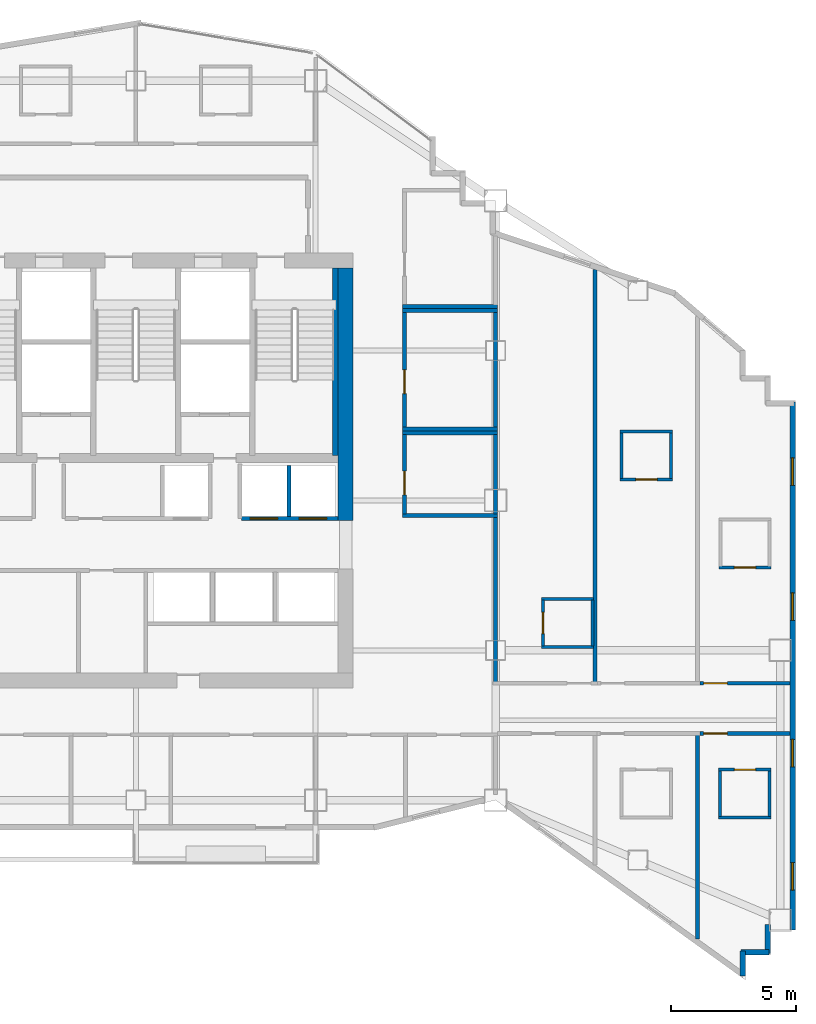
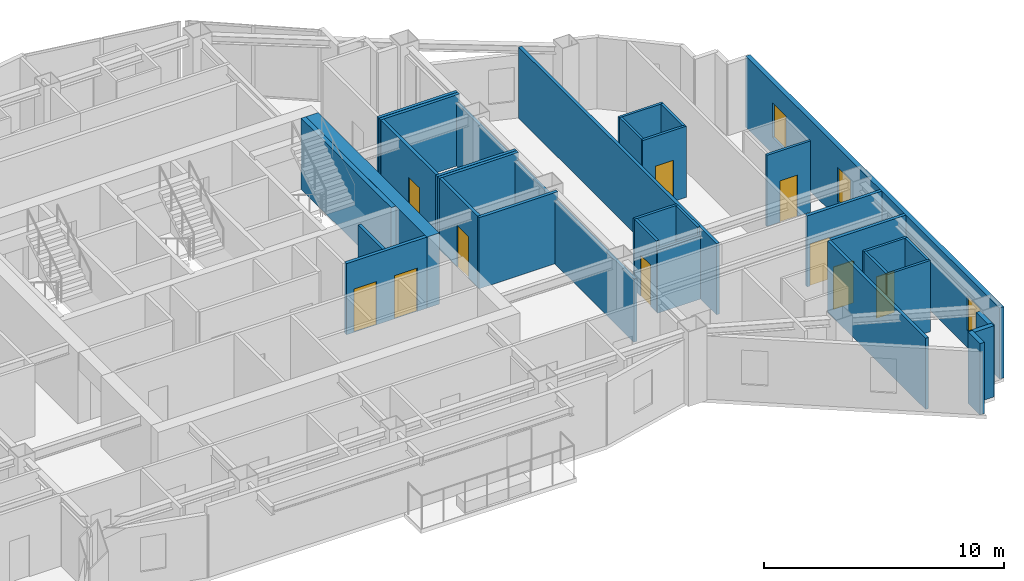
# One storey, part 8 of 11: 35 walls, 10 doors, 4 windows, 14 openings.
"""IFC4 building model written with IfcOpenShell, lengths in metres."""

from ifc_helpers import new_model, si_unit, direction, frame, frame_2d, origin, place, context, subcontext, project, spatial, rectangle, extrude, material, layer, layer_set, type_object, element, fill, save


model = new_model("IFC4")

# Units and contexts
model_context = context("Model", 3, precision=1e-05, world=origin(), true_north=direction((0.0, 1.0)))
body_context = subcontext(model_context, "Body", "Model", "MODEL_VIEW")
ifc_project = project(units=[si_unit("LENGTHUNIT", "METRE"), si_unit("AREAUNIT", "SQUARE_METRE"), si_unit("VOLUMEUNIT", "CUBIC_METRE"), si_unit("PLANEANGLEUNIT", "RADIAN"), si_unit("MASSUNIT", "GRAM", prefix="KILO")], contexts=[model_context])

# Site, building, storey
site_placement = place(None, origin())
site = spatial("IfcSite", under=ifc_project, at=site_placement, CompositionType="ELEMENT")
building_placement = place(site_placement, origin())
building = spatial("IfcBuilding", under=site, at=building_placement, Name="Haolan Belvedere Tower", CompositionType="ELEMENT")
storey_placement = place(building_placement, frame((0.0, 0.0, 188.0)))
storey = spatial("IfcBuildingStorey", under=building, at=storey_placement, Name="L47", CompositionType="ELEMENT", Elevation=188.0)

# Walls
ifc_material_1 = material(Name="Concrete C60/75", Category="concrete")
ifc_layer_1 = layer(ifc_material_1, 0.60009765625, Name="Concrete C60/75")
ifc_layer_set_1 = layer_set([ifc_layer_1], Name="Concrete C60/75")
wall_type_1 = type_object("IfcWallType", Name="WL-CORE-600", PredefinedType="SHEAR", material=ifc_layer_set_1)
wall_1_placement = place(storey_placement, frame((46.800048828125, 32.800048828125, 0.0), z_axis=(0.0, 0.0, 1.0), x_axis=(0.0, 1.0, 0.0)))
element("IfcWall", 1, at=wall_1_placement, inside=storey, type_object=wall_type_1, Name="L47 central core shear wall EN", PredefinedType="SHEAR", context=body_context, shape_type="SweptSolid", body=[
    extrude(rectangle(XDim=10.099853515625, YDim=0.60009765625, at=frame_2d((5.0498046875, 0.0))), origin(), (0.0, 0.0, 1.0), 3.6201171875),
])
ifc_material_2 = material(Name="Precast concrete C40/50", Category="concrete")
ifc_layer_2 = layer(ifc_material_2, 0.219970703125, Name="Precast concrete C40/50")
ifc_layer_set_2 = layer_set([ifc_layer_2], Name="Precast concrete C40/50")
wall_type_2 = type_object("IfcWallType", Name="WL-EXT-220", PredefinedType="SOLIDWALL", material=ifc_layer_set_2)
wall_2_placement = place(storey_placement, frame((62.68994140625, 14.559814453125, 0.0), z_axis=(0.0, 0.0, 1.0), x_axis=(0.0, 1.0, 0.0)))
element("IfcWall", 2, at=wall_2_placement, inside=storey, type_object=wall_type_2, Name="L47 pale-metal exterior spandrel wall 4.1", PredefinedType="SOLIDWALL", context=body_context, shape_type="SweptSolid", body=[
    extrude(rectangle(XDim=1.005126953125, YDim=0.219970703125, at=frame_2d((0.50244140625, 0.0))), origin(), (0.0, 0.0, 1.0), 3.6201171875),
])
wall_3_placement = place(storey_placement, frame((62.635009765625, 15.510009765625, 0.0), z_axis=(0.0, 0.0, 1.0), x_axis=(1.0, 0.0, 0.0)))
element("IfcWall", 3, at=wall_3_placement, inside=storey, type_object=wall_type_2, Name="L47 pale-metal exterior spandrel wall 5.1", PredefinedType="SOLIDWALL", context=body_context, shape_type="SweptSolid", body=[
    extrude(rectangle(XDim=1.110107421875, YDim=0.219970703125, at=frame_2d((0.55517578125, 0.0))), origin(), (0.0, 0.0, 1.0), 3.6201171875),
])
wall_4_placement = place(storey_placement, frame((63.68994140625, 15.455078125, 0.0), z_axis=(0.0, 0.0, 1.0), x_axis=(0.0, 1.0, 0.0)))
element("IfcWall", 4, at=wall_4_placement, inside=storey, type_object=wall_type_2, Name="L47 pale-metal exterior spandrel wall 6.1", PredefinedType="SOLIDWALL", context=body_context, shape_type="SweptSolid", body=[
    extrude(rectangle(XDim=1.1650390625, YDim=0.219970703125, at=frame_2d((0.58251953125, 0.0))), origin(), (0.0, 0.0, 1.0), 3.6201171875),
])

# Wall, openings, windows
wall_5_placement = place(storey_placement, frame((64.68994140625, 16.39990234375, 0.0), z_axis=(0.0, 0.0, 1.0), x_axis=(0.0, 1.0, 0.0)))
wall_5 = element("IfcWall", 5, at=wall_5_placement, inside=storey, type_object=wall_type_2, Name="L47 pale-metal exterior spandrel wall 8.1", PredefinedType="SOLIDWALL", context=body_context, shape_type="SweptSolid", body=[
    extrude(rectangle(XDim=21.14501953125, YDim=0.219970703125, at=frame_2d((10.572509765625, 0.0))), origin(), (0.0, 0.0, 1.0), 3.6201171875),
])
opening_1_placement = place(wall_5_placement, frame((1.60009765625, 0.0, 0.85009765625)))
opening_1 = element("IfcOpeningElement", 6, at=opening_1_placement, cuts=wall_5, Name="Opening W-03", PredefinedType="OPENING", context=body_context, shape_type="SweptSolid", body=[
    extrude(rectangle(XDim=1.10009765625, YDim=1.75, at=frame_2d((0.550048828125, 0.875))), frame((0.0, 0.119873046875, 0.0), z_axis=(0.0, -1.0, 0.0), x_axis=(1.0, 0.0, 0.0)), (0.0, 0.0, 1.0), 0.239990234375),
])
opening_2_placement = place(wall_5_placement, frame((6.534912109375, 0.0, 0.85009765625)))
opening_2 = element("IfcOpeningElement", 7, at=opening_2_placement, cuts=wall_5, Name="Opening W-03", PredefinedType="OPENING", context=body_context, shape_type="SweptSolid", body=[
    extrude(rectangle(XDim=1.10009765625, YDim=1.75, at=frame_2d((0.550048828125, 0.875))), frame((0.0, 0.119873046875, 0.0), z_axis=(0.0, -1.0, 0.0), x_axis=(1.0, 0.0, 0.0)), (0.0, 0.0, 1.0), 0.239990234375),
])
opening_3_placement = place(wall_5_placement, frame((12.39990234375, 0.0, 0.85009765625)))
opening_3 = element("IfcOpeningElement", 8, at=opening_3_placement, cuts=wall_5, Name="Opening W-03", PredefinedType="OPENING", context=body_context, shape_type="SweptSolid", body=[
    extrude(rectangle(XDim=1.10009765625, YDim=1.75, at=frame_2d((0.550048828125, 0.875))), frame((0.0, 0.119873046875, 0.0), z_axis=(0.0, -1.0, 0.0), x_axis=(1.0, 0.0, 0.0)), (0.0, 0.0, 1.0), 0.239990234375),
])
opening_4_placement = place(wall_5_placement, frame((17.800048828125, 0.0, 0.85009765625)))
opening_4 = element("IfcOpeningElement", 9, at=opening_4_placement, cuts=wall_5, Name="Opening W-03", PredefinedType="OPENING", context=body_context, shape_type="SweptSolid", body=[
    extrude(rectangle(XDim=1.10009765625, YDim=1.75, at=frame_2d((0.550048828125, 0.875))), frame((0.0, 0.119873046875, 0.0), z_axis=(0.0, -1.0, 0.0), x_axis=(1.0, 0.0, 0.0)), (0.0, 0.0, 1.0), 0.239990234375),
])
ifc_material_3 = material(Name="Anodised aluminium 6063-T6 and Low-E glass", Category="aluminium")
window_type = type_object("IfcWindowType", Name="WN-DECO-Z3", PartitioningType="SINGLE_PANEL", PredefinedType="WINDOW", material=ifc_material_3)
window_1_placement = place(opening_1_placement, origin())
window_1 = element("IfcWindow", 10, at=window_1_placement, inside=storey, type_object=window_type, Name="L47 Art Deco chevron window 1", OverallHeight=1.75, OverallWidth=1.10009765625, PartitioningType="SINGLE_PANEL", PredefinedType="WINDOW", context=body_context, shape_type="SweptSolid", body=[
    extrude(rectangle(XDim=1.10009765625, YDim=1.75, at=frame_2d((0.550048828125, 0.875))), frame((0.0, 0.030029296875, 0.0), z_axis=(0.0, -1.0, 0.0), x_axis=(1.0, 0.0, 0.0)), (0.0, 0.0, 1.0), 0.06005859375),
])
fill(opening_1, window_1)
window_2_placement = place(opening_2_placement, origin())
window_2 = element("IfcWindow", 11, at=window_2_placement, inside=storey, type_object=window_type, Name="L47 Art Deco chevron window 2", OverallHeight=1.75, OverallWidth=1.10009765625, PartitioningType="SINGLE_PANEL", PredefinedType="WINDOW", context=body_context, shape_type="SweptSolid", body=[
    extrude(rectangle(XDim=1.10009765625, YDim=1.75, at=frame_2d((0.550048828125, 0.875))), frame((0.0, 0.030029296875, 0.0), z_axis=(0.0, -1.0, 0.0), x_axis=(1.0, 0.0, 0.0)), (0.0, 0.0, 1.0), 0.06005859375),
])
fill(opening_2, window_2)
window_3_placement = place(opening_3_placement, origin())
window_3 = element("IfcWindow", 12, at=window_3_placement, inside=storey, type_object=window_type, Name="L47 Art Deco chevron window 3", OverallHeight=1.75, OverallWidth=1.10009765625, PartitioningType="SINGLE_PANEL", PredefinedType="WINDOW", context=body_context, shape_type="SweptSolid", body=[
    extrude(rectangle(XDim=1.10009765625, YDim=1.75, at=frame_2d((0.550048828125, 0.875))), frame((0.0, 0.030029296875, 0.0), z_axis=(0.0, -1.0, 0.0), x_axis=(1.0, 0.0, 0.0)), (0.0, 0.0, 1.0), 0.06005859375),
])
fill(opening_3, window_3)
window_4_placement = place(opening_4_placement, origin())
window_4 = element("IfcWindow", 13, at=window_4_placement, inside=storey, type_object=window_type, Name="L47 Art Deco chevron window 4", OverallHeight=1.75, OverallWidth=1.10009765625, PartitioningType="SINGLE_PANEL", PredefinedType="WINDOW", context=body_context, shape_type="SweptSolid", body=[
    extrude(rectangle(XDim=1.10009765625, YDim=1.75, at=frame_2d((0.550048828125, 0.875))), frame((0.0, 0.030029296875, 0.0), z_axis=(0.0, -1.0, 0.0), x_axis=(1.0, 0.0, 0.0)), (0.0, 0.0, 1.0), 0.06005859375),
])
fill(opening_4, window_4)

# Walls
ifc_material_4 = material(Name="Double gypsum acoustic stud partition", Category="masonry")
ifc_layer_3 = layer(ifc_material_4, 0.14990234375, Name="Double gypsum acoustic stud partition")
ifc_layer_set_3 = layer_set([ifc_layer_3], Name="Double gypsum acoustic stud partition")
wall_type_3 = type_object("IfcWallType", Name="WL-PART-150", PredefinedType="PARTITIONING", material=ifc_layer_set_3)
for number, where, z_axis, x_axis, name in (
    (14, (49.080078125, 36.300048828125, 0.0), (0.0, 0.0, 1.0), (1.0, 0.0, 0.0), "L47 interior partition IW-L47-AWC-N"),
    (15, (49.080078125, 33.0, 0.0), (0.0, 0.0, 1.0), (1.0, 0.0, 0.0), "L47 interior partition IW-L47-AWC-S"),
):
    element("IfcWall", number, at=place(storey_placement, frame(where, z_axis=z_axis, x_axis=x_axis)), inside=storey, type_object=wall_type_3, Name=name, PredefinedType="PARTITIONING", context=body_context, shape_type="SweptSolid", body=[
        extrude(rectangle(XDim=3.7998046875, YDim=0.14990234375, at=frame_2d((1.89990234375, 0.0))), origin(), (0.0, 0.0, 1.0), 3.6201171875),
    ])

# Wall, opening, door
wall_6_placement = place(storey_placement, frame((49.159912109375, 33.06005859375, 0.0), z_axis=(0.0, 0.0, 1.0), x_axis=(0.0, 1.0, 0.0)))
wall_6 = element("IfcWall", 16, at=wall_6_placement, inside=storey, type_object=wall_type_3, Name="L47 interior partition IW-L47-AWC-W", PredefinedType="PARTITIONING", context=body_context, shape_type="SweptSolid", body=[
    extrude(rectangle(XDim=3.179931640625, YDim=0.14990234375, at=frame_2d((1.58984375, 0.0))), origin(), (0.0, 0.0, 1.0), 3.6201171875),
])
opening_5_placement = place(wall_6_placement, frame((0.760009765625, 0.0, 0.0)))
opening_5 = element("IfcOpeningElement", 17, at=opening_5_placement, cuts=wall_6, Name="Opening ID-03", PredefinedType="OPENING", context=body_context, shape_type="SweptSolid", body=[
    extrude(rectangle(XDim=0.949951171875, YDim=2.1201171875, at=frame_2d((0.47509765625, 1.06005859375))), frame((0.0, 0.0849609375, 0.0), z_axis=(0.0, -1.0, 0.0), x_axis=(1.0, 0.0, 0.0)), (0.0, 0.0, 1.0), 0.169921875),
])
ifc_material_5 = material(Name="Painted solid-core timber", Category="wood")
door_type_1 = type_object("IfcDoorType", Name="DR-INT-950", OperationType="NOTDEFINED", PredefinedType="DOOR", material=ifc_material_5)
door_1_placement = place(opening_5_placement, origin())
door_1 = element("IfcDoor", 18, at=door_1_placement, inside=storey, type_object=door_type_1, Name="L47 door ID-L47-AWC", OperationType="SINGLE_SWING_LEFT", OverallHeight=2.1201171875, OverallWidth=0.949951171875, PredefinedType="DOOR", context=body_context, shape_type="SweptSolid", body=[
    extrude(rectangle(XDim=0.949951171875, YDim=2.1201171875, at=frame_2d((0.47509765625, 1.06005859375))), frame((0.0, 0.02490234375, 0.0), z_axis=(0.0, -1.0, 0.0), x_axis=(1.0, 0.0, 0.0)), (0.0, 0.0, 1.0), 0.050048828125),
])
fill(opening_5, door_1)

# Walls
wall_7_placement = place(storey_placement, frame((52.800048828125, 33.06005859375, 0.0), z_axis=(0.0, 0.0, 1.0), x_axis=(0.0, 1.0, 0.0)))
element("IfcWall", 19, at=wall_7_placement, inside=storey, type_object=wall_type_3, Name="L47 interior partition IW-L47-AWC-E", PredefinedType="PARTITIONING", context=body_context, shape_type="SweptSolid", body=[
    extrude(rectangle(XDim=3.179931640625, YDim=0.14990234375, at=frame_2d((1.58984375, 0.0))), origin(), (0.0, 0.0, 1.0), 3.215087890625),
])
for number, where, z_axis, x_axis, name in (
    (20, (49.080078125, 41.199951171875, 0.0), (0.0, 0.0, 1.0), (1.0, 0.0, 0.0), "L47 interior partition IW-L47-STY-N"),
    (21, (49.080078125, 36.4599609375, 0.0), (0.0, 0.0, 1.0), (1.0, 0.0, 0.0), "L47 interior partition IW-L47-STY-S"),
):
    element("IfcWall", number, at=place(storey_placement, frame(where, z_axis=z_axis, x_axis=x_axis)), inside=storey, type_object=wall_type_3, Name=name, PredefinedType="PARTITIONING", context=body_context, shape_type="SweptSolid", body=[
        extrude(rectangle(XDim=3.7998046875, YDim=0.14990234375, at=frame_2d((1.89990234375, 0.0))), origin(), (0.0, 0.0, 1.0), 3.6201171875),
    ])

# Wall, opening, door
wall_8_placement = place(storey_placement, frame((49.159912109375, 36.52001953125, 0.0), z_axis=(0.0, 0.0, 1.0), x_axis=(0.0, 1.0, 0.0)))
wall_8 = element("IfcWall", 22, at=wall_8_placement, inside=storey, type_object=wall_type_3, Name="L47 interior partition IW-L47-STY-W", PredefinedType="PARTITIONING", context=body_context, shape_type="SweptSolid", body=[
    extrude(rectangle(XDim=4.619873046875, YDim=0.14990234375, at=frame_2d((2.31005859375, 0.0))), origin(), (0.0, 0.0, 1.0), 3.6201171875),
])
opening_6_placement = place(wall_8_placement, frame((1.360107421875, 0.0, 0.0)))
opening_6 = element("IfcOpeningElement", 23, at=opening_6_placement, cuts=wall_8, Name="Opening ID-03", PredefinedType="OPENING", context=body_context, shape_type="SweptSolid", body=[
    extrude(rectangle(XDim=0.949951171875, YDim=2.1201171875, at=frame_2d((0.47509765625, 1.06005859375))), frame((0.0, 0.0849609375, 0.0), z_axis=(0.0, -1.0, 0.0), x_axis=(1.0, 0.0, 0.0)), (0.0, 0.0, 1.0), 0.169921875),
])
door_2_placement = place(opening_6_placement, origin())
door_2 = element("IfcDoor", 24, at=door_2_placement, inside=storey, type_object=door_type_1, Name="L47 door ID-L47-STY", OperationType="SINGLE_SWING_RIGHT", OverallHeight=2.1201171875, OverallWidth=0.949951171875, PredefinedType="DOOR", context=body_context, shape_type="SweptSolid", body=[
    extrude(rectangle(XDim=0.949951171875, YDim=2.1201171875, at=frame_2d((0.47509765625, 1.06005859375))), frame((0.0, 0.02490234375, 0.0), z_axis=(0.0, -1.0, 0.0), x_axis=(1.0, 0.0, 0.0)), (0.0, 0.0, 1.0), 0.050048828125),
])
fill(opening_6, door_2)

# Walls
wall_9_placement = place(storey_placement, frame((52.800048828125, 36.52001953125, 0.0), z_axis=(0.0, 0.0, 1.0), x_axis=(0.0, 1.0, 0.0)))
element("IfcWall", 25, at=wall_9_placement, inside=storey, type_object=wall_type_3, Name="L47 interior partition IW-L47-STY-E", PredefinedType="PARTITIONING", context=body_context, shape_type="SweptSolid", body=[
    extrude(rectangle(XDim=4.619873046875, YDim=0.14990234375, at=frame_2d((2.31005859375, 0.0))), origin(), (0.0, 0.0, 1.0), 3.215087890625),
])
wall_10_placement = place(storey_placement, frame((49.080078125, 41.360107421875, 0.0), z_axis=(0.0, 0.0, 1.0), x_axis=(1.0, 0.0, 0.0)))
element("IfcWall", 26, at=wall_10_placement, inside=storey, type_object=wall_type_3, Name="L47 interior partition IW-L47-PNT-S", PredefinedType="PARTITIONING", context=body_context, shape_type="SweptSolid", body=[
    extrude(rectangle(XDim=3.7998046875, YDim=0.14990234375, at=frame_2d((1.89990234375, 0.0))), origin(), (0.0, 0.0, 1.0), 3.6201171875),
])
wall_11_placement = place(storey_placement, frame((52.800048828125, 26.340087890625, 0.0), z_axis=(0.0, 0.0, 1.0), x_axis=(0.0, 1.0, 0.0)))
element("IfcWall", 27, at=wall_11_placement, inside=storey, type_object=wall_type_3, Name="L47 interior partition IW-L47-T4N1-W", PredefinedType="PARTITIONING", context=body_context, shape_type="SweptSolid", body=[
    extrude(rectangle(XDim=6.599853515625, YDim=0.14990234375, at=frame_2d((3.2998046875, 0.0))), origin(), (0.0, 0.0, 1.0), 3.215087890625),
])
wall_12_placement = place(storey_placement, frame((56.780029296875, 26.340087890625, 0.0), z_axis=(0.0, 0.0, 1.0), x_axis=(0.0, 1.0, 0.0)))
element("IfcWall", 28, at=wall_12_placement, inside=storey, type_object=wall_type_3, Name="L47 interior partition IW-L47-T4N1-E", PredefinedType="PARTITIONING", context=body_context, shape_type="SweptSolid", body=[
    extrude(rectangle(XDim=16.509765625, YDim=0.14990234375, at=frame_2d((8.2548828125, 0.0))), origin(), (0.0, 0.0, 1.0), 3.6201171875),
])

# Wall, opening, door
wall_13_placement = place(storey_placement, frame((60.991943359375, 26.280029296875, 0.0), z_axis=(0.0, 0.0, 1.0), x_axis=(1.0, 0.0, 0.0)))
wall_13 = element("IfcWall", 29, at=wall_13_placement, inside=storey, type_object=wall_type_3, Name="L47 interior partition IW-L47-T4N3-S", PredefinedType="PARTITIONING", context=body_context, shape_type="SweptSolid", body=[
    extrude(rectangle(XDim=3.595947265625, YDim=0.14990234375, at=frame_2d((1.7978515625, 0.0))), origin(), (0.0, 0.0, 1.0), 3.6201171875),
])
opening_7_placement = place(wall_13_placement, frame((0.139892578125, 0.0, 0.0)))
opening_7 = element("IfcOpeningElement", 30, at=opening_7_placement, cuts=wall_13, Name="Opening ID-02", PredefinedType="OPENING", context=body_context, shape_type="SweptSolid", body=[
    extrude(rectangle(XDim=0.949951171875, YDim=2.14990234375, at=frame_2d((0.47509765625, 1.074951171875))), frame((0.0, 0.0849609375, 0.0), z_axis=(0.0, -1.0, 0.0), x_axis=(1.0, 0.0, 0.0)), (0.0, 0.0, 1.0), 0.169921875),
])
ifc_material_6 = material(Name="Acoustic oak veneer fire-rated timber", Category="wood")
door_type_2 = type_object("IfcDoorType", Name="DR-GUEST-950", OperationType="NOTDEFINED", PredefinedType="DOOR", material=ifc_material_6)
door_3_placement = place(opening_7_placement, origin())
door_3 = element("IfcDoor", 31, at=door_3_placement, inside=storey, type_object=door_type_2, Name="L47 door ID-L47-T4N3-ENT", OperationType="SINGLE_SWING_RIGHT", OverallHeight=2.14990234375, OverallWidth=0.949951171875, PredefinedType="DOOR", context=body_context, shape_type="SweptSolid", body=[
    extrude(rectangle(XDim=0.949951171875, YDim=2.14990234375, at=frame_2d((0.47509765625, 1.074951171875))), frame((0.0, 0.02490234375, 0.0), z_axis=(0.0, -1.0, 0.0), x_axis=(1.0, 0.0, 0.0)), (0.0, 0.0, 1.0), 0.050048828125),
])
fill(opening_7, door_3)

# Wall
wall_14_placement = place(storey_placement, frame((60.889892578125, 16.036376953125, 0.0), z_axis=(0.0, 0.0, 1.0), x_axis=(0.0, 1.0, 0.0)))
element("IfcWall", 32, at=wall_14_placement, inside=storey, type_object=wall_type_3, Name="L47 interior partition IW-L47-T4S2-E", PredefinedType="PARTITIONING", context=body_context, shape_type="SweptSolid", body=[
    extrude(rectangle(XDim=8.173583984375, YDim=0.14990234375, at=frame_2d((4.0869140625, 0.0))), origin(), (0.0, 0.0, 1.0), 3.6201171875),
])

# Wall, opening, door
wall_15_placement = place(storey_placement, frame((60.991943359375, 24.27001953125, 0.0), z_axis=(0.0, 0.0, 1.0), x_axis=(1.0, 0.0, 0.0)))
wall_15 = element("IfcWall", 33, at=wall_15_placement, inside=storey, type_object=wall_type_3, Name="L47 interior partition IW-L47-T4S3-N", PredefinedType="PARTITIONING", context=body_context, shape_type="SweptSolid", body=[
    extrude(rectangle(XDim=3.595947265625, YDim=0.14990234375, at=frame_2d((1.7978515625, 0.0))), origin(), (0.0, 0.0, 1.0), 3.6201171875),
])
opening_8_placement = place(wall_15_placement, frame((1.08984375, 0.0, 0.0), z_axis=(0.0, 0.0, 1.0), x_axis=(-1.0, 0.0, 0.0)))
opening_8 = element("IfcOpeningElement", 34, at=opening_8_placement, cuts=wall_15, Name="Opening ID-02", PredefinedType="OPENING", context=body_context, shape_type="SweptSolid", body=[
    extrude(rectangle(XDim=0.949951171875, YDim=2.14990234375, at=frame_2d((0.47509765625, 1.074951171875))), frame((0.0, 0.0849609375, 0.0), z_axis=(0.0, -1.0, 0.0), x_axis=(1.0, 0.0, 0.0)), (0.0, 0.0, 1.0), 0.169921875),
])
door_4_placement = place(opening_8_placement, origin())
door_4 = element("IfcDoor", 35, at=door_4_placement, inside=storey, type_object=door_type_2, Name="L47 door ID-L47-T4S3-ENT", OperationType="SINGLE_SWING_LEFT", OverallHeight=2.14990234375, OverallWidth=0.949951171875, PredefinedType="DOOR", context=body_context, shape_type="SweptSolid", body=[
    extrude(rectangle(XDim=0.949951171875, YDim=2.14990234375, at=frame_2d((0.47509765625, 1.074951171875))), frame((0.0, 0.02490234375, 0.0), z_axis=(0.0, -1.0, 0.0), x_axis=(1.0, 0.0, 0.0)), (0.0, 0.0, 1.0), 0.050048828125),
])
fill(opening_8, door_4)

# Wall, openings, doors
ifc_material_7 = material(Name="Gypsum fire shaftwall assembly", Category="masonry")
ifc_layer_4 = layer(ifc_material_7, 0.1650390625, Name="Gypsum fire shaftwall assembly")
ifc_layer_set_4 = layer_set([ifc_layer_4], Name="Gypsum fire shaftwall assembly")
wall_type_4 = type_object("IfcWallType", Name="WL-SHAFT-160", PredefinedType="SOLIDWALL", material=ifc_layer_set_4)
wall_16_placement = place(storey_placement, frame((42.6298828125, 32.8798828125, 0.0), z_axis=(0.0, 0.0, 1.0), x_axis=(1.0, 0.0, 0.0)))
wall_16 = element("IfcWall", 36, at=wall_16_placement, inside=storey, type_object=wall_type_4, Name="L47 interior partition IW-L47-ROW-PN3", PredefinedType="SOLIDWALL", context=body_context, shape_type="SweptSolid", body=[
    extrude(rectangle(XDim=3.8701171875, YDim=0.159912109375, at=frame_2d((1.93505859375, 0.0))), origin(), (0.0, 0.0, 1.0), 3.6201171875),
])
opening_9_placement = place(wall_16_placement, frame((1.4501953125, 0.0, 0.0), z_axis=(0.0, 0.0, 1.0), x_axis=(-1.0, 0.0, 0.0)))
opening_9 = element("IfcOpeningElement", 37, at=opening_9_placement, cuts=wall_16, Name="Opening LD-01", PredefinedType="OPENING", context=body_context, shape_type="SweptSolid", body=[
    extrude(rectangle(XDim=1.10009765625, YDim=2.199951171875, at=frame_2d((0.550048828125, 1.10009765625))), frame((0.0, 0.08984375, 0.0), z_axis=(0.0, -1.0, 0.0), x_axis=(1.0, 0.0, 0.0)), (0.0, 0.0, 1.0), 0.179931640625),
])
opening_10_placement = place(wall_16_placement, frame((3.41015625, 0.0, 0.0), z_axis=(0.0, 0.0, 1.0), x_axis=(-1.0, 0.0, 0.0)))
opening_10 = element("IfcOpeningElement", 38, at=opening_10_placement, cuts=wall_16, Name="Opening LD-01", PredefinedType="OPENING", context=body_context, shape_type="SweptSolid", body=[
    extrude(rectangle(XDim=1.10009765625, YDim=2.199951171875, at=frame_2d((0.550048828125, 1.10009765625))), frame((0.0, 0.08984375, 0.0), z_axis=(0.0, -1.0, 0.0), x_axis=(1.0, 0.0, 0.0)), (0.0, 0.0, 1.0), 0.179931640625),
])
ifc_material_8 = material(Name="Brushed champagne stainless steel 316L", Category="steel")
door_type_3 = type_object("IfcDoorType", Name="DR-LIFT-1100", OperationType="SLIDING_TO_LEFT", PredefinedType="DOOR", material=ifc_material_8)
door_5_placement = place(opening_9_placement, origin())
door_5 = element("IfcDoor", 39, at=door_5_placement, inside=storey, type_object=door_type_3, Name="L47 door ID-L47-LD-PH2", OperationType="SLIDING_TO_RIGHT", OverallHeight=2.199951171875, OverallWidth=1.10009765625, PredefinedType="DOOR", context=body_context, shape_type="SweptSolid", body=[
    extrude(rectangle(XDim=1.10009765625, YDim=2.199951171875, at=frame_2d((0.550048828125, 1.10009765625))), frame((0.0, 0.02490234375, 0.0), z_axis=(0.0, -1.0, 0.0), x_axis=(1.0, 0.0, 0.0)), (0.0, 0.0, 1.0), 0.050048828125),
])
fill(opening_9, door_5)
door_6_placement = place(opening_10_placement, origin())
door_6 = element("IfcDoor", 40, at=door_6_placement, inside=storey, type_object=door_type_3, Name="L47 door ID-L47-LD-PH3", OperationType="SLIDING_TO_RIGHT", OverallHeight=2.199951171875, OverallWidth=1.10009765625, PredefinedType="DOOR", context=body_context, shape_type="SweptSolid", body=[
    extrude(rectangle(XDim=1.10009765625, YDim=2.199951171875, at=frame_2d((0.550048828125, 1.10009765625))), frame((0.0, 0.02490234375, 0.0), z_axis=(0.0, -1.0, 0.0), x_axis=(1.0, 0.0, 0.0)), (0.0, 0.0, 1.0), 0.050048828125),
])
fill(opening_10, door_6)

# Walls
wall_17_placement = place(storey_placement, frame((44.530029296875, 32.949951171875, 0.0), z_axis=(0.0, 0.0, 1.0), x_axis=(0.0, 1.0, 0.0)))
element("IfcWall", 41, at=wall_17_placement, inside=storey, type_object=wall_type_4, Name="L47 interior partition IW-L47-DIV-PH2", PredefinedType="SOLIDWALL", context=body_context, shape_type="SweptSolid", body=[
    extrude(rectangle(XDim=2.050048828125, YDim=0.14990234375, at=frame_2d((1.02490234375, 0.0))), origin(), (0.0, 0.0, 1.0), 3.6201171875),
])
ifc_material_9 = material(Name="Concrete C50/60", Category="concrete")
ifc_layer_5 = layer(ifc_material_9, 0.219970703125, Name="Concrete C50/60")
ifc_layer_set_5 = layer_set([ifc_layer_5], Name="Concrete C50/60")
wall_type_5 = type_object("IfcWallType", Name="WL-STAIR-220", PredefinedType="SHEAR", material=ifc_layer_set_5)
wall_18_placement = place(storey_placement, frame((46.387939453125, 35.389892578125, 0.0), z_axis=(0.0, 0.0, 1.0), x_axis=(0.0, 1.0, 0.0)))
element("IfcWall", 42, at=wall_18_placement, inside=storey, type_object=wall_type_5, Name="L47 structural stair core wall ST2E", PredefinedType="SHEAR", context=body_context, shape_type="SweptSolid", body=[
    extrude(rectangle(XDim=7.510009765625, YDim=0.219970703125, at=frame_2d((3.7548828125, 0.0))), origin(), (0.0, 0.0, 1.0), 3.6201171875),
])
ifc_material_10 = material(Name="Moisture-resistant gypsum tile partition", Category="masonry")
ifc_layer_6 = layer(ifc_material_10, 0.1201171875, Name="Moisture-resistant gypsum tile partition")
ifc_layer_set_6 = layer_set([ifc_layer_6], Name="Moisture-resistant gypsum tile partition")
wall_type_6 = type_object("IfcWallType", Name="WL-WET-120", PredefinedType="PARTITIONING", material=ifc_layer_set_6)
wall_19_placement = place(storey_placement, frame((54.639892578125, 29.64990234375, 0.0), z_axis=(0.0, 0.0, 1.0), x_axis=(1.0, 0.0, 0.0)))
element("IfcWall", 43, at=wall_19_placement, inside=storey, type_object=wall_type_6, Name="L47 interior partition IW-L47-T4N1-BN", PredefinedType="PARTITIONING", context=body_context, shape_type="SweptSolid", body=[
    extrude(rectangle(XDim=2.080078125, YDim=0.1201171875, at=frame_2d((1.0400390625, 0.0))), origin(), (0.0, 0.0, 1.0), 3.6201171875),
])
wall_20_placement = place(storey_placement, frame((54.639892578125, 27.72998046875, 0.0), z_axis=(0.0, 0.0, 1.0), x_axis=(1.0, 0.0, 0.0)))
element("IfcWall", 44, at=wall_20_placement, inside=storey, type_object=wall_type_6, Name="L47 interior partition IW-L47-T4N1-BS", PredefinedType="PARTITIONING", context=body_context, shape_type="SweptSolid", body=[
    extrude(rectangle(XDim=2.080078125, YDim=0.1201171875, at=frame_2d((1.0400390625, 0.0))), origin(), (0.0, 0.0, 1.0), 3.215087890625),
])

# Wall, opening, door
wall_21_placement = place(storey_placement, frame((54.699951171875, 27.77490234375, 0.0), z_axis=(0.0, 0.0, 1.0), x_axis=(0.0, 1.0, 0.0)))
wall_21 = element("IfcWall", 45, at=wall_21_placement, inside=storey, type_object=wall_type_6, Name="L47 interior partition IW-L47-T4N1-BW", PredefinedType="PARTITIONING", context=body_context, shape_type="SweptSolid", body=[
    extrude(rectangle(XDim=1.830078125, YDim=0.1201171875, at=frame_2d((0.9150390625, 0.0))), origin(), (0.0, 0.0, 1.0), 3.6201171875),
])
opening_11_placement = place(wall_21_placement, frame((1.340087890625, 0.0, 0.0), z_axis=(0.0, 0.0, 1.0), x_axis=(-1.0, 0.0, 0.0)))
opening_11 = element("IfcOpeningElement", 46, at=opening_11_placement, cuts=wall_21, Name="Opening ID-05", PredefinedType="OPENING", context=body_context, shape_type="SweptSolid", body=[
    extrude(rectangle(XDim=0.85009765625, YDim=2.10009765625, at=frame_2d((0.425048828125, 1.050048828125))), frame((0.0, 0.070068359375, 0.0), z_axis=(0.0, -1.0, 0.0), x_axis=(1.0, 0.0, 0.0)), (0.0, 0.0, 1.0), 0.14013671875),
])
ifc_material_11 = material(Name="Moisture-resistant lacquered timber", Category="wood")
door_type_4 = type_object("IfcDoorType", Name="DR-BATH-850", OperationType="NOTDEFINED", PredefinedType="DOOR", material=ifc_material_11)
door_7_placement = place(opening_11_placement, origin())
door_7 = element("IfcDoor", 47, at=door_7_placement, inside=storey, type_object=door_type_4, Name="L47 door ID-L47-T4N1-BATH", OperationType="SINGLE_SWING_LEFT", OverallHeight=2.10009765625, OverallWidth=0.85009765625, PredefinedType="DOOR", context=body_context, shape_type="SweptSolid", body=[
    extrude(rectangle(XDim=0.85009765625, YDim=2.10009765625, at=frame_2d((0.425048828125, 1.050048828125))), frame((0.0, 0.02490234375, 0.0), z_axis=(0.0, -1.0, 0.0), x_axis=(1.0, 0.0, 0.0)), (0.0, 0.0, 1.0), 0.050048828125),
])
fill(opening_11, door_7)

# Walls
wall_22_placement = place(storey_placement, frame((56.679931640625, 27.77490234375, 0.0), z_axis=(0.0, 0.0, 1.0), x_axis=(0.0, 1.0, 0.0)))
element("IfcWall", 48, at=wall_22_placement, inside=storey, type_object=wall_type_6, Name="L47 interior partition IW-L47-T4N1-BE", PredefinedType="PARTITIONING", context=body_context, shape_type="SweptSolid", body=[
    extrude(rectangle(XDim=1.830078125, YDim=0.1201171875, at=frame_2d((0.9150390625, 0.0))), origin(), (0.0, 0.0, 1.0), 3.6201171875),
])
wall_23_placement = place(storey_placement, frame((57.7919921875, 36.35302734375, 0.0), z_axis=(0.0, 0.0, 1.0), x_axis=(1.0, 0.0, 0.0)))
element("IfcWall", 49, at=wall_23_placement, inside=storey, type_object=wall_type_6, Name="L47 interior partition IW-L47-T4N2-BN", PredefinedType="PARTITIONING", context=body_context, shape_type="SweptSolid", body=[
    extrude(rectangle(XDim=2.10009765625, YDim=0.1201171875, at=frame_2d((1.050048828125, 0.0))), origin(), (0.0, 0.0, 1.0), 3.6201171875),
])

# Wall, opening, door
wall_24_placement = place(storey_placement, frame((57.7919921875, 34.43310546875, 0.0), z_axis=(0.0, 0.0, 1.0), x_axis=(1.0, 0.0, 0.0)))
wall_24 = element("IfcWall", 50, at=wall_24_placement, inside=storey, type_object=wall_type_6, Name="L47 interior partition IW-L47-T4N2-BS", PredefinedType="PARTITIONING", context=body_context, shape_type="SweptSolid", body=[
    extrude(rectangle(XDim=2.10009765625, YDim=0.1201171875, at=frame_2d((1.050048828125, 0.0))), origin(), (0.0, 0.0, 1.0), 3.6201171875),
])
opening_12_placement = place(wall_24_placement, frame((0.625, 0.0, 0.0)))
opening_12 = element("IfcOpeningElement", 51, at=opening_12_placement, cuts=wall_24, Name="Opening ID-05", PredefinedType="OPENING", context=body_context, shape_type="SweptSolid", body=[
    extrude(rectangle(XDim=0.85009765625, YDim=2.10009765625, at=frame_2d((0.425048828125, 1.050048828125))), frame((0.0, 0.070068359375, 0.0), z_axis=(0.0, -1.0, 0.0), x_axis=(1.0, 0.0, 0.0)), (0.0, 0.0, 1.0), 0.14013671875),
])
door_8_placement = place(opening_12_placement, origin())
door_8 = element("IfcDoor", 52, at=door_8_placement, inside=storey, type_object=door_type_4, Name="L47 door ID-L47-T4N2-BATH", OperationType="SINGLE_SWING_RIGHT", OverallHeight=2.10009765625, OverallWidth=0.85009765625, PredefinedType="DOOR", context=body_context, shape_type="SweptSolid", body=[
    extrude(rectangle(XDim=0.85009765625, YDim=2.10009765625, at=frame_2d((0.425048828125, 1.050048828125))), frame((0.0, 0.02490234375, 0.0), z_axis=(0.0, -1.0, 0.0), x_axis=(1.0, 0.0, 0.0)), (0.0, 0.0, 1.0), 0.050048828125),
])
fill(opening_12, door_8)

# Walls
for number, where, z_axis, x_axis, name in (
    (53, (57.85205078125, 34.47802734375, 0.0), (0.0, 0.0, 1.0), (0.0, 1.0, 0.0), "L47 interior partition IW-L47-T4N2-BW"),
    (54, (59.83203125, 34.47802734375, 0.0), (0.0, 0.0, 1.0), (0.0, 1.0, 0.0), "L47 interior partition IW-L47-T4N2-BE"),
):
    element("IfcWall", number, at=place(storey_placement, frame(where, z_axis=z_axis, x_axis=x_axis)), inside=storey, type_object=wall_type_6, Name=name, PredefinedType="PARTITIONING", context=body_context, shape_type="SweptSolid", body=[
        extrude(rectangle(XDim=1.830078125, YDim=0.1201171875, at=frame_2d((0.9150390625, 0.0))), origin(), (0.0, 0.0, 1.0), 3.6201171875),
    ])

# Wall, opening, door
wall_25_placement = place(storey_placement, frame((61.737060546875, 30.9150390625, 0.0), z_axis=(0.0, 0.0, 1.0), x_axis=(1.0, 0.0, 0.0)))
wall_25 = element("IfcWall", 55, at=wall_25_placement, inside=storey, type_object=wall_type_6, Name="L47 interior partition IW-L47-T4N3-BS", PredefinedType="PARTITIONING", context=body_context, shape_type="SweptSolid", body=[
    extrude(rectangle(XDim=2.099853515625, YDim=0.1201171875, at=frame_2d((1.0498046875, 0.0))), origin(), (0.0, 0.0, 1.0), 3.6201171875),
])
opening_13_placement = place(wall_25_placement, frame((0.625, 0.0, 0.0)))
opening_13 = element("IfcOpeningElement", 56, at=opening_13_placement, cuts=wall_25, Name="Opening ID-05", PredefinedType="OPENING", context=body_context, shape_type="SweptSolid", body=[
    extrude(rectangle(XDim=0.85009765625, YDim=2.10009765625, at=frame_2d((0.425048828125, 1.050048828125))), frame((0.0, 0.070068359375, 0.0), z_axis=(0.0, -1.0, 0.0), x_axis=(1.0, 0.0, 0.0)), (0.0, 0.0, 1.0), 0.14013671875),
])
door_9_placement = place(opening_13_placement, origin())
door_9 = element("IfcDoor", 57, at=door_9_placement, inside=storey, type_object=door_type_4, Name="L47 door ID-L47-T4N3-BATH", OperationType="SINGLE_SWING_LEFT", OverallHeight=2.10009765625, OverallWidth=0.85009765625, PredefinedType="DOOR", context=body_context, shape_type="SweptSolid", body=[
    extrude(rectangle(XDim=0.85009765625, YDim=2.10009765625, at=frame_2d((0.425048828125, 1.050048828125))), frame((0.0, 0.02490234375, 0.0), z_axis=(0.0, -1.0, 0.0), x_axis=(1.0, 0.0, 0.0)), (0.0, 0.0, 1.0), 0.050048828125),
])
fill(opening_13, door_9)

wall_26_placement = place(storey_placement, frame((61.736083984375, 22.820068359375, 0.0), z_axis=(0.0, 0.0, 1.0), x_axis=(1.0, 0.0, 0.0)))
wall_26 = element("IfcWall", 58, at=wall_26_placement, inside=storey, type_object=wall_type_6, Name="L47 interior partition IW-L47-T4S3-BN", PredefinedType="PARTITIONING", context=body_context, shape_type="SweptSolid", body=[
    extrude(rectangle(XDim=2.099853515625, YDim=0.1201171875, at=frame_2d((1.0498046875, 0.0))), origin(), (0.0, 0.0, 1.0), 3.6201171875),
])
opening_14_placement = place(wall_26_placement, frame((1.47509765625, 0.0, 0.0), z_axis=(0.0, 0.0, 1.0), x_axis=(-1.0, 0.0, 0.0)))
opening_14 = element("IfcOpeningElement", 59, at=opening_14_placement, cuts=wall_26, Name="Opening ID-05", PredefinedType="OPENING", context=body_context, shape_type="SweptSolid", body=[
    extrude(rectangle(XDim=0.85009765625, YDim=2.10009765625, at=frame_2d((0.425048828125, 1.050048828125))), frame((0.0, 0.070068359375, 0.0), z_axis=(0.0, -1.0, 0.0), x_axis=(1.0, 0.0, 0.0)), (0.0, 0.0, 1.0), 0.14013671875),
])
door_10_placement = place(opening_14_placement, origin())
door_10 = element("IfcDoor", 60, at=door_10_placement, inside=storey, type_object=door_type_4, Name="L47 door ID-L47-T4S3-BATH", OperationType="SINGLE_SWING_RIGHT", OverallHeight=2.10009765625, OverallWidth=0.85009765625, PredefinedType="DOOR", context=body_context, shape_type="SweptSolid", body=[
    extrude(rectangle(XDim=0.85009765625, YDim=2.10009765625, at=frame_2d((0.425048828125, 1.050048828125))), frame((0.0, 0.02490234375, 0.0), z_axis=(0.0, -1.0, 0.0), x_axis=(1.0, 0.0, 0.0)), (0.0, 0.0, 1.0), 0.050048828125),
])
fill(opening_14, door_10)

# Walls
wall_27_placement = place(storey_placement, frame((61.736083984375, 20.89990234375, 0.0), z_axis=(0.0, 0.0, 1.0), x_axis=(1.0, 0.0, 0.0)))
element("IfcWall", 61, at=wall_27_placement, inside=storey, type_object=wall_type_6, Name="L47 interior partition IW-L47-T4S3-BS", PredefinedType="PARTITIONING", context=body_context, shape_type="SweptSolid", body=[
    extrude(rectangle(XDim=2.099853515625, YDim=0.1201171875, at=frame_2d((1.0498046875, 0.0))), origin(), (0.0, 0.0, 1.0), 3.6201171875),
])
for number, where, z_axis, x_axis, name in (
    (62, (61.7958984375, 20.945068359375, 0.0), (0.0, 0.0, 1.0), (0.0, 1.0, 0.0), "L47 interior partition IW-L47-T4S3-BW"),
    (63, (63.77587890625, 20.945068359375, 0.0), (0.0, 0.0, 1.0), (0.0, 1.0, 0.0), "L47 interior partition IW-L47-T4S3-BE"),
):
    element("IfcWall", number, at=place(storey_placement, frame(where, z_axis=z_axis, x_axis=x_axis)), inside=storey, type_object=wall_type_6, Name=name, PredefinedType="PARTITIONING", context=body_context, shape_type="SweptSolid", body=[
        extrude(rectangle(XDim=1.829833984375, YDim=0.1201171875, at=frame_2d((0.9150390625, 0.0))), origin(), (0.0, 0.0, 1.0), 3.6201171875),
    ])

save(model, "model.ifc")
